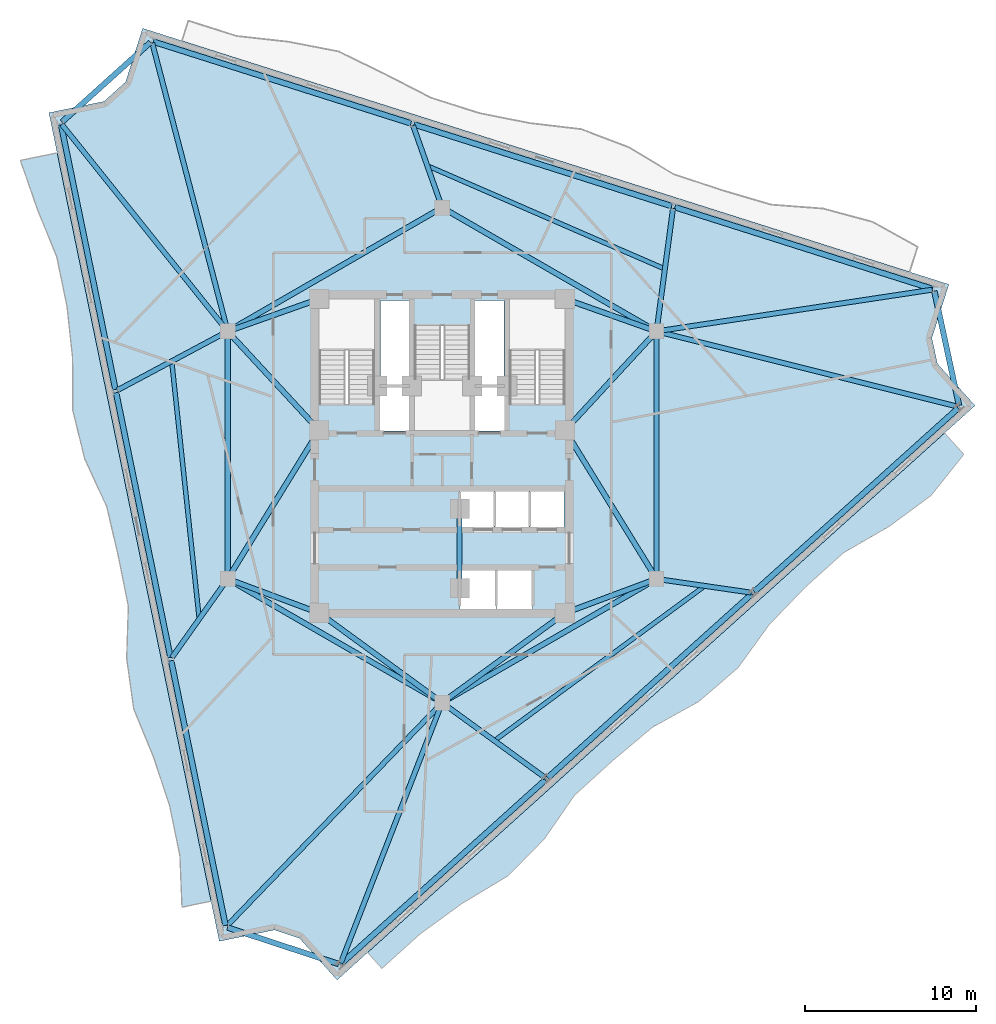
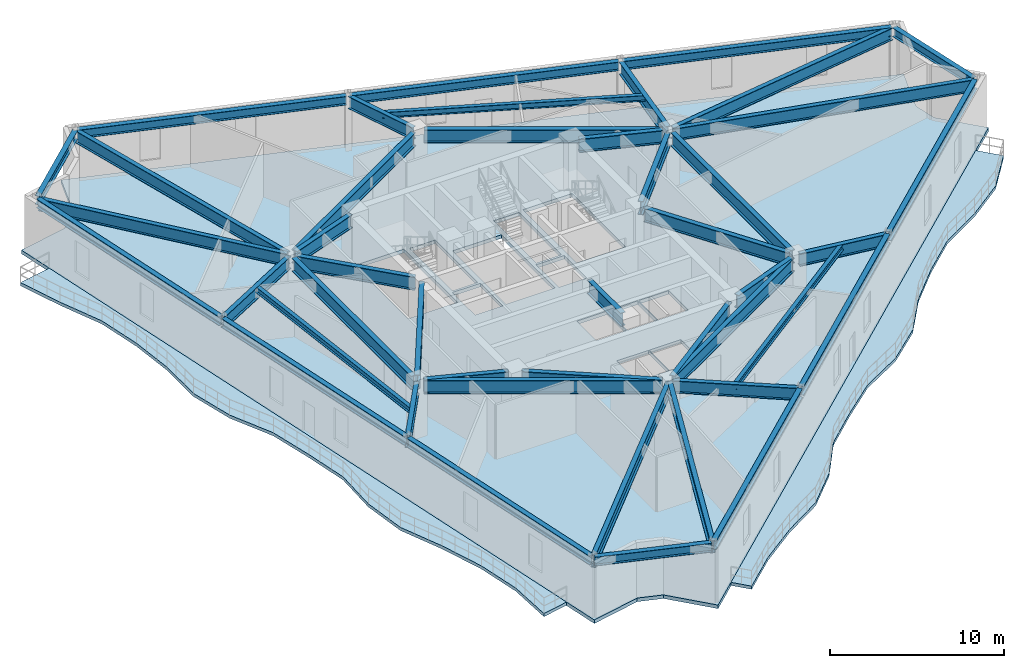
# One storey, part 4 of 12: 44 beams, 3 slabs.
"""IFC4 building model written with IfcOpenShell, lengths in metres."""

from ifc_helpers import new_model, si_unit, direction, frame, origin, origin_2d, place, context, subcontext, project, spatial, polyline, i_section, outline, extrude, material, layer, layer_set, material_profile, profile_set, type_object, element, save


model = new_model("IFC4")

# Units and contexts
model_context = context("Model", 3, precision=1e-05, world=origin(), true_north=direction((0.0, 1.0)))
body_context = subcontext(model_context, "Body", "Model", "MODEL_VIEW")
ifc_project = project(units=[si_unit("LENGTHUNIT", "METRE"), si_unit("AREAUNIT", "SQUARE_METRE"), si_unit("VOLUMEUNIT", "CUBIC_METRE"), si_unit("PLANEANGLEUNIT", "RADIAN"), si_unit("MASSUNIT", "GRAM", prefix="KILO")], contexts=[model_context])

# Site, building, storey
site_placement = place(None, origin())
site = spatial("IfcSite", under=ifc_project, at=site_placement, CompositionType="ELEMENT")
building_placement = place(site_placement, origin())
building = spatial("IfcBuilding", under=site, at=building_placement, Name="Apsidion Concourse Tower", CompositionType="ELEMENT")
storey_placement = place(building_placement, frame((0.0, 0.0, 248.60009765625)))
storey = spatial("IfcBuildingStorey", under=building, at=storey_placement, Name="L58", CompositionType="ELEMENT", Elevation=248.60009765625)

# Beams
ifc_material_1 = material(Name="Structural steel ASTM A992 Grade 50", Category="steel")
ifc_material_profile_1 = material_profile(ifc_material_1, i_section(OverallWidth=0.260009765625, OverallDepth=0.4150390625, WebThickness=0.010009765625, FlangeThickness=0.016845703125, at=origin_2d()), Name="W16X67")
ifc_profile_set_1 = profile_set([ifc_material_profile_1], Name="Structural steel ASTM A992 Grade 50")
beam_type_1 = type_object("IfcBeamType", Name="BM-FL-W16H", PredefinedType="BEAM", material=ifc_profile_set_1)
beam_1_placement = place(storey_placement, frame((-15.83642578125, 5.500732421875, 3.642333984375), z_axis=(0.106172030497, -0.994347776153, 0.0), x_axis=(0.994347776153, 0.106172030497, 0.0)))
element("IfcBeam", 1, at=beam_1_placement, inside=storey, type_object=beam_type_1, Name="L58 Secondary Floor Beam SEC-F1", PredefinedType="BEAM", context=body_context, shape_type="SweptSolid", body=[
    extrude(i_section(OverallWidth=0.260009765625, OverallDepth=0.4150390625, WebThickness=0.010009765625, FlangeThickness=0.016845703125, at=origin_2d()), origin(), (0.0, 0.0, 1.0), 15.18359375),
])
beam_2_placement = place(storey_placement, frame((3.060791015625, -16.727294921875, 3.642333984375), z_axis=(0.80548434449, 0.592617052389, 0.0), x_axis=(-0.592617052389, 0.80548434449, 0.0)))
element("IfcBeam", 2, at=beam_2_placement, inside=storey, type_object=beam_type_1, Name="L58 Secondary Floor Beam SEC-F2", PredefinedType="BEAM", context=body_context, shape_type="SweptSolid", body=[
    extrude(i_section(OverallWidth=0.260009765625, OverallDepth=0.4150390625, WebThickness=0.010009765625, FlangeThickness=0.016845703125, at=origin_2d()), origin(), (0.0, 0.0, 1.0), 15.301025390625),
])
beam_3_placement = place(storey_placement, frame((13.049560546875, 10.901611328125, 3.642333984375), z_axis=(-0.917117371842, 0.398617267897, 0.0), x_axis=(-0.398617267897, -0.917117371842, 0.0)))
element("IfcBeam", 3, at=beam_3_placement, inside=storey, type_object=beam_type_1, Name="L58 Secondary Floor Beam SEC-F3", PredefinedType="BEAM", context=body_context, shape_type="SweptSolid", body=[
    extrude(i_section(OverallWidth=0.260009765625, OverallDepth=0.4150390625, WebThickness=0.010009765625, FlangeThickness=0.016845703125, at=origin_2d()), origin(), (0.0, 0.0, 1.0), 15.173828125),
])
ifc_material_profile_2 = material_profile(ifc_material_1, i_section(OverallWidth=0.2919921875, OverallDepth=0.85888671875, WebThickness=0.01708984375, FlangeThickness=0.031005859375, at=origin_2d()), Name="W33X169")
ifc_profile_set_2 = profile_set([ifc_material_profile_2], Name="Structural steel ASTM A992 Grade 50")
beam_type_2 = type_object("IfcBeamType", Name="BM-G-W33", PredefinedType="USERDEFINED", material=ifc_profile_set_2)
beam_4_placement = place(storey_placement, frame((-12.697509765625, 7.421630859375, 3.42041015625), z_axis=(-0.625472520241, 0.780246196033, 0.0), x_axis=(-0.780246196033, -0.625472520241, 0.0)))
element("IfcBeam", 4, at=beam_4_placement, inside=storey, type_object=beam_type_2, Name="L58 Radial Floor Girder RAD-01", ObjectType="GIRDER", PredefinedType="USERDEFINED", context=body_context, shape_type="SweptSolid", body=[
    extrude(i_section(OverallWidth=0.2919921875, OverallDepth=0.85888671875, WebThickness=0.01708984375, FlangeThickness=0.031005859375, at=origin_2d()), origin(), (0.0, 0.0, 1.0), 15.311767578125),
])
beam_5_placement = place(storey_placement, frame((-12.754150390625, 7.146484375, 3.42041015625), z_axis=(-0.88214083385, -0.470985720861, 0.0), x_axis=(0.470985720861, -0.88214083385, 0.0)))
element("IfcBeam", 5, at=beam_5_placement, inside=storey, type_object=beam_type_2, Name="L58 Radial Floor Girder RAD-02", ObjectType="GIRDER", PredefinedType="USERDEFINED", context=body_context, shape_type="SweptSolid", body=[
    extrude(i_section(OverallWidth=0.2919921875, OverallDepth=0.85888671875, WebThickness=0.01708984375, FlangeThickness=0.031005859375, at=origin_2d()), origin(), (0.0, 0.0, 1.0), 7.1083984375),
])
beam_6_placement = place(storey_placement, frame((-12.687255859375, -7.429443359375, 3.42041015625), z_axis=(-0.578459758238, -0.815710921895, 0.0), x_axis=(0.815710921895, -0.578459758238, 0.0)))
element("IfcBeam", 6, at=beam_6_placement, inside=storey, type_object=beam_type_2, Name="L58 Radial Floor Girder RAD-03", ObjectType="GIRDER", PredefinedType="USERDEFINED", context=body_context, shape_type="SweptSolid", body=[
    extrude(i_section(OverallWidth=0.2919921875, OverallDepth=0.85888671875, WebThickness=0.01708984375, FlangeThickness=0.031005859375, at=origin_2d()), origin(), (0.0, 0.0, 1.0), 5.434326171875),
])
beam_7_placement = place(storey_placement, frame((-0.152587890625, -14.658447265625, 3.42041015625), z_axis=(-0.693982841632, -0.719991538506, 0.0), x_axis=(0.719991538506, -0.693982841632, 0.0)))
element("IfcBeam", 7, at=beam_7_placement, inside=storey, type_object=beam_type_2, Name="L58 Radial Floor Girder RAD-04", ObjectType="GIRDER", PredefinedType="USERDEFINED", context=body_context, shape_type="SweptSolid", body=[
    extrude(i_section(OverallWidth=0.2919921875, OverallDepth=0.85888671875, WebThickness=0.01708984375, FlangeThickness=0.031005859375, at=origin_2d()), origin(), (0.0, 0.0, 1.0), 17.928955078125),
])
beam_8_placement = place(storey_placement, frame((-0.079833984375, -14.705078125, 3.42041015625), z_axis=(-0.36254845311, -0.931964923775, 0.0), x_axis=(0.931964923775, -0.36254845311, 0.0)))
element("IfcBeam", 8, at=beam_8_placement, inside=storey, type_object=beam_type_2, Name="L58 Radial Floor Girder RAD-05", ObjectType="GIRDER", PredefinedType="USERDEFINED", context=body_context, shape_type="SweptSolid", body=[
    extrude(i_section(OverallWidth=0.2919921875, OverallDepth=0.85888671875, WebThickness=0.01708984375, FlangeThickness=0.031005859375, at=origin_2d()), origin(), (0.0, 0.0, 1.0), 16.14013671875),
])
beam_9_placement = place(storey_placement, frame((0.177978515625, -14.62939453125, 3.42041015625), z_axis=(0.808567158699, -0.588403900288, 0.0), x_axis=(0.588403900288, 0.808567158699, 0.0)))
element("IfcBeam", 9, at=beam_9_placement, inside=storey, type_object=beam_type_2, Name="L58 Radial Floor Girder RAD-06", ObjectType="GIRDER", PredefinedType="USERDEFINED", context=body_context, shape_type="SweptSolid", body=[
    extrude(i_section(OverallWidth=0.2919921875, OverallDepth=0.85888671875, WebThickness=0.01708984375, FlangeThickness=0.031005859375, at=origin_2d()), origin(), (0.0, 0.0, 1.0), 7.251220703125),
])
beam_10_placement = place(storey_placement, frame((12.777587890625, -7.281494140625, 3.42041015625), z_axis=(0.98964652534, -0.143526147032, 0.0), x_axis=(0.143526147032, 0.98964652534, 0.0)))
element("IfcBeam", 10, at=beam_10_placement, inside=storey, type_object=beam_type_2, Name="L58 Radial Floor Girder RAD-07", ObjectType="GIRDER", PredefinedType="USERDEFINED", context=body_context, shape_type="SweptSolid", body=[
    extrude(i_section(OverallWidth=0.2919921875, OverallDepth=0.85888671875, WebThickness=0.01708984375, FlangeThickness=0.031005859375, at=origin_2d()), origin(), (0.0, 0.0, 1.0), 5.390625),
])
beam_11_placement = place(storey_placement, frame((12.7734375, 7.19677734375, 3.42041015625), z_axis=(0.97015368983, -0.242490861907, 0.0), x_axis=(0.242490861907, 0.97015368983, 0.0)))
element("IfcBeam", 11, at=beam_11_placement, inside=storey, type_object=beam_type_2, Name="L58 Radial Floor Girder RAD-08", ObjectType="GIRDER", PredefinedType="USERDEFINED", context=body_context, shape_type="SweptSolid", body=[
    extrude(i_section(OverallWidth=0.2919921875, OverallDepth=0.85888671875, WebThickness=0.01708984375, FlangeThickness=0.031005859375, at=origin_2d()), origin(), (0.0, 0.0, 1.0), 17.96630859375),
])
beam_12_placement = place(storey_placement, frame((12.777587890625, 7.282958984375, 3.42041015625), z_axis=(0.988774311252, 0.149416737377, 0.0), x_axis=(-0.149416737377, 0.988774311252, 0.0)))
element("IfcBeam", 12, at=beam_12_placement, inside=storey, type_object=beam_type_2, Name="L58 Radial Floor Girder RAD-09", ObjectType="GIRDER", PredefinedType="USERDEFINED", context=body_context, shape_type="SweptSolid", body=[
    extrude(i_section(OverallWidth=0.2919921875, OverallDepth=0.85888671875, WebThickness=0.01708984375, FlangeThickness=0.031005859375, at=origin_2d()), origin(), (0.0, 0.0, 1.0), 16.11572265625),
])
beam_13_placement = place(storey_placement, frame((12.589111328125, 7.468017578125, 3.42041015625), z_axis=(0.13290103696, 0.99112931264, 0.0), x_axis=(-0.99112931264, 0.13290103696, 0.0)))
element("IfcBeam", 13, at=beam_13_placement, inside=storey, type_object=beam_type_2, Name="L58 Radial Floor Girder RAD-10", ObjectType="GIRDER", PredefinedType="USERDEFINED", context=body_context, shape_type="SweptSolid", body=[
    extrude(i_section(OverallWidth=0.2919921875, OverallDepth=0.85888671875, WebThickness=0.01708984375, FlangeThickness=0.031005859375, at=origin_2d()), origin(), (0.0, 0.0, 1.0), 7.048583984375),
])
beam_14_placement = place(storey_placement, frame((-0.073486328125, 14.70751953125, 3.42041015625), z_axis=(-0.333398660175, 0.94278594251, 0.0), x_axis=(-0.94278594251, -0.333398660175, 0.0)))
element("IfcBeam", 14, at=beam_14_placement, inside=storey, type_object=beam_type_2, Name="L58 Radial Floor Girder RAD-11", ObjectType="GIRDER", PredefinedType="USERDEFINED", context=body_context, shape_type="SweptSolid", body=[
    extrude(i_section(OverallWidth=0.2919921875, OverallDepth=0.85888671875, WebThickness=0.01708984375, FlangeThickness=0.031005859375, at=origin_2d()), origin(), (0.0, 0.0, 1.0), 4.877685546875),
])
beam_15_placement = place(storey_placement, frame((-12.61572265625, 7.462890625, 3.42041015625), z_axis=(-0.253011847296, 0.967463180244, 0.0), x_axis=(-0.967463180244, -0.253011847296, 0.0)))
element("IfcBeam", 15, at=beam_15_placement, inside=storey, type_object=beam_type_2, Name="L58 Radial Floor Girder RAD-12", ObjectType="GIRDER", PredefinedType="USERDEFINED", context=body_context, shape_type="SweptSolid", body=[
    extrude(i_section(OverallWidth=0.2919921875, OverallDepth=0.85888671875, WebThickness=0.01708984375, FlangeThickness=0.031005859375, at=origin_2d()), origin(), (0.0, 0.0, 1.0), 17.249267578125),
])
ifc_material_profile_3 = material_profile(ifc_material_1, i_section(OverallWidth=0.31005859375, OverallDepth=0.931884765625, WebThickness=0.02099609375, FlangeThickness=0.034423828125, at=origin_2d()), Name="W36X210")
ifc_profile_set_3 = profile_set([ifc_material_profile_3], Name="Structural steel ASTM A992 Grade 50")
beam_type_3 = type_object("IfcBeamType", Name="BM-G-W36", PredefinedType="USERDEFINED", material=ifc_profile_set_3)
beam_16_placement = place(storey_placement, frame((-12.185302734375, -7.389892578125, 3.3837890625), z_axis=(0.936913021145, -0.349562570664, 0.0), x_axis=(0.349562570664, 0.936913021145, 0.0)))
element("IfcBeam", 16, at=beam_16_placement, inside=storey, type_object=beam_type_3, Name="L58 Core Coupling Girder IC1-SC1", ObjectType="GIRDER", PredefinedType="USERDEFINED", context=body_context, shape_type="SweptSolid", body=[
    extrude(i_section(OverallWidth=0.31005859375, OverallDepth=0.931884765625, WebThickness=0.02099609375, FlangeThickness=0.034423828125, at=origin_2d()), origin(), (0.0, 0.0, 1.0), 4.921142578125),
])
beam_17_placement = place(storey_placement, frame((-12.35009765625, -6.909423828125, 3.3837890625), z_axis=(0.524524009763, 0.851395656074, 0.0), x_axis=(-0.851395656074, 0.524524009763, 0.0)))
element("IfcBeam", 17, at=beam_17_placement, inside=storey, type_object=beam_type_3, Name="L58 Core Coupling Girder IC1-SC6", ObjectType="GIRDER", PredefinedType="USERDEFINED", context=body_context, shape_type="SweptSolid", body=[
    extrude(i_section(OverallWidth=0.31005859375, OverallDepth=0.931884765625, WebThickness=0.02099609375, FlangeThickness=0.034423828125, at=origin_2d()), origin(), (0.0, 0.0, 1.0), 9.41845703125),
])
beam_18_placement = place(storey_placement, frame((12.185302734375, -7.389892578125, 3.3837890625), z_axis=(-0.936913021145, -0.349562570664, 0.0), x_axis=(0.349562570664, -0.936913021145, 0.0)))
element("IfcBeam", 18, at=beam_18_placement, inside=storey, type_object=beam_type_3, Name="L58 Core Coupling Girder IC2-SC2", ObjectType="GIRDER", PredefinedType="USERDEFINED", context=body_context, shape_type="SweptSolid", body=[
    extrude(i_section(OverallWidth=0.31005859375, OverallDepth=0.931884765625, WebThickness=0.02099609375, FlangeThickness=0.034423828125, at=origin_2d()), origin(), (0.0, 0.0, 1.0), 4.921142578125),
])
beam_19_placement = place(storey_placement, frame((12.35009765625, -6.909423828125, 3.3837890625), z_axis=(-0.524524009763, 0.851395656074, 0.0), x_axis=(-0.851395656074, -0.524524009763, 0.0)))
element("IfcBeam", 19, at=beam_19_placement, inside=storey, type_object=beam_type_3, Name="L58 Core Coupling Girder IC2-SC3", ObjectType="GIRDER", PredefinedType="USERDEFINED", context=body_context, shape_type="SweptSolid", body=[
    extrude(i_section(OverallWidth=0.31005859375, OverallDepth=0.931884765625, WebThickness=0.02099609375, FlangeThickness=0.034423828125, at=origin_2d()), origin(), (0.0, 0.0, 1.0), 9.41845703125),
])
beam_20_placement = place(storey_placement, frame((12.28857421875, 6.956298828125, 3.3837890625), z_axis=(-0.678712876106, -0.73440372535, 0.0), x_axis=(0.73440372535, -0.678712876106, 0.0)))
element("IfcBeam", 20, at=beam_20_placement, inside=storey, type_object=beam_type_3, Name="L58 Core Coupling Girder IC3-SC3", ObjectType="GIRDER", PredefinedType="USERDEFINED", context=body_context, shape_type="SweptSolid", body=[
    extrude(i_section(OverallWidth=0.31005859375, OverallDepth=0.931884765625, WebThickness=0.02099609375, FlangeThickness=0.034423828125, at=origin_2d()), origin(), (0.0, 0.0, 1.0), 7.097412109375),
])
beam_21_placement = place(storey_placement, frame((12.18310546875, 7.383544921875, 3.3837890625), z_axis=(-0.942533844539, 0.334110688094, 0.0), x_axis=(-0.334110688094, -0.942533844539, 0.0)))
element("IfcBeam", 21, at=beam_21_placement, inside=storey, type_object=beam_type_3, Name="L58 Core Coupling Girder IC3-SC4", ObjectType="GIRDER", PredefinedType="USERDEFINED", context=body_context, shape_type="SweptSolid", body=[
    extrude(i_section(OverallWidth=0.31005859375, OverallDepth=0.931884765625, WebThickness=0.02099609375, FlangeThickness=0.034423828125, at=origin_2d()), origin(), (0.0, 0.0, 1.0), 4.886962890625),
])
beam_22_placement = place(storey_placement, frame((-12.28857421875, 6.956298828125, 3.3837890625), z_axis=(0.678712876106, -0.73440372535, 0.0), x_axis=(0.73440372535, 0.678712876106, 0.0)))
element("IfcBeam", 22, at=beam_22_placement, inside=storey, type_object=beam_type_3, Name="L58 Core Coupling Girder IC5-SC6", ObjectType="GIRDER", PredefinedType="USERDEFINED", context=body_context, shape_type="SweptSolid", body=[
    extrude(i_section(OverallWidth=0.31005859375, OverallDepth=0.931884765625, WebThickness=0.02099609375, FlangeThickness=0.034423828125, at=origin_2d()), origin(), (0.0, 0.0, 1.0), 7.097412109375),
])
beam_23_placement = place(storey_placement, frame((-12.18310546875, 7.383544921875, 3.3837890625), z_axis=(0.942533844539, 0.334110688094, 0.0), x_axis=(-0.334110688094, 0.942533844539, 0.0)))
element("IfcBeam", 23, at=beam_23_placement, inside=storey, type_object=beam_type_3, Name="L58 Core Coupling Girder IC5-SC5", ObjectType="GIRDER", PredefinedType="USERDEFINED", context=body_context, shape_type="SweptSolid", body=[
    extrude(i_section(OverallWidth=0.31005859375, OverallDepth=0.931884765625, WebThickness=0.02099609375, FlangeThickness=0.034423828125, at=origin_2d()), origin(), (0.0, 0.0, 1.0), 4.886962890625),
])
for number, where, z_axis, x_axis, name in (
    (24, (-0.3232421875, -14.264404296875, 3.3837890625), (-0.807993498909, 0.589191399905, 0.0), (-0.589191399905, -0.807993498909, 0.0), "L58 Core Coupling Girder IC6-SC1"),
    (25, (0.3232421875, -14.264404296875, 3.3837890625), (0.807993498909, 0.589191399905, 0.0), (-0.589191399905, 0.807993498909, 0.0), "L58 Core Coupling Girder IC6-SC2"),
):
    element("IfcBeam", number, at=place(storey_placement, frame(where, z_axis=z_axis, x_axis=x_axis)), inside=storey, type_object=beam_type_3, Name=name, ObjectType="GIRDER", PredefinedType="USERDEFINED", context=body_context, shape_type="SweptSolid", body=[
        extrude(i_section(OverallWidth=0.31005859375, OverallDepth=0.931884765625, WebThickness=0.02099609375, FlangeThickness=0.034423828125, at=origin_2d()), origin(), (0.0, 0.0, 1.0), 8.11083984375),
    ])
beam_24_placement = place(storey_placement, frame((-12.56005859375, -6.85009765625, 3.3837890625), z_axis=(0.0, 1.0, 0.0), x_axis=(-1.0, 0.0, 0.0)))
element("IfcBeam", 26, at=beam_24_placement, inside=storey, type_object=beam_type_3, Name="L58 Core Coupling Girder IC1-IC5", ObjectType="GIRDER", PredefinedType="USERDEFINED", context=body_context, shape_type="SweptSolid", body=[
    extrude(i_section(OverallWidth=0.31005859375, OverallDepth=0.931884765625, WebThickness=0.02099609375, FlangeThickness=0.034423828125, at=origin_2d()), origin(), (0.0, 0.0, 1.0), 13.7001953125),
])
for number, where, z_axis, x_axis, name in (
    (27, (-12.213623046875, 7.449951171875, 3.3837890625), (0.866070471464, 0.499921932364, 0.0), (-0.499921932364, 0.866070471464, 0.0), "L58 Core Coupling Girder IC5-IC4"),
    (28, (0.346435546875, 14.300048828125, 3.3837890625), (0.866070471464, -0.499921932364, 0.0), (0.499921932364, 0.866070471464, 0.0), "L58 Core Coupling Girder IC4-IC3"),
):
    element("IfcBeam", number, at=place(storey_placement, frame(where, z_axis=z_axis, x_axis=x_axis)), inside=storey, type_object=beam_type_3, Name=name, ObjectType="GIRDER", PredefinedType="USERDEFINED", context=body_context, shape_type="SweptSolid", body=[
        extrude(i_section(OverallWidth=0.31005859375, OverallDepth=0.931884765625, WebThickness=0.02099609375, FlangeThickness=0.034423828125, at=origin_2d()), origin(), (0.0, 0.0, 1.0), 13.702392578125),
    ])
beam_25_placement = place(storey_placement, frame((12.56005859375, 6.85009765625, 3.3837890625), z_axis=(0.0, -1.0, 0.0), x_axis=(1.0, 0.0, 0.0)))
element("IfcBeam", 29, at=beam_25_placement, inside=storey, type_object=beam_type_3, Name="L58 Core Coupling Girder IC3-IC2", ObjectType="GIRDER", PredefinedType="USERDEFINED", context=body_context, shape_type="SweptSolid", body=[
    extrude(i_section(OverallWidth=0.31005859375, OverallDepth=0.931884765625, WebThickness=0.02099609375, FlangeThickness=0.034423828125, at=origin_2d()), origin(), (0.0, 0.0, 1.0), 13.7001953125),
])
for number, where, z_axis, x_axis, name in (
    (30, (12.213623046875, -7.449951171875, 3.3837890625), (-0.866070471464, -0.499921932364, 0.0), (0.499921932364, -0.866070471464, 0.0), "L58 Core Coupling Girder IC2-IC6"),
    (31, (-0.346435546875, -14.300048828125, 3.3837890625), (-0.866070471464, 0.499921932364, 0.0), (-0.499921932364, -0.866070471464, 0.0), "L58 Core Coupling Girder IC6-IC1"),
):
    element("IfcBeam", number, at=place(storey_placement, frame(where, z_axis=z_axis, x_axis=x_axis)), inside=storey, type_object=beam_type_3, Name=name, ObjectType="GIRDER", PredefinedType="USERDEFINED", context=body_context, shape_type="SweptSolid", body=[
        extrude(i_section(OverallWidth=0.31005859375, OverallDepth=0.931884765625, WebThickness=0.02099609375, FlangeThickness=0.034423828125, at=origin_2d()), origin(), (0.0, 0.0, 1.0), 13.702392578125),
    ])
beam_26_placement = place(storey_placement, frame((1.02490234375, -3.550048828125, 3.3837890625), z_axis=(0.0, -1.0, 0.0), x_axis=(1.0, 0.0, 0.0)))
element("IfcBeam", 32, at=beam_26_placement, inside=storey, type_object=beam_type_3, Name="L58 Core Coupling Girder CC5-CC6", ObjectType="GIRDER", PredefinedType="USERDEFINED", context=body_context, shape_type="SweptSolid", body=[
    extrude(i_section(OverallWidth=0.31005859375, OverallDepth=0.931884765625, WebThickness=0.02099609375, FlangeThickness=0.034423828125, at=origin_2d()), origin(), (0.0, 0.0, 1.0), 3.849853515625),
])
ifc_material_profile_4 = material_profile(ifc_material_1, i_section(OverallWidth=0.324951171875, OverallDepth=0.616943359375, WebThickness=0.013916015625, FlangeThickness=0.021484375, at=origin_2d()), Name="W24X117")
ifc_profile_set_4 = profile_set([ifc_material_profile_4], Name="Structural steel ASTM A992 Grade 50")
beam_type_4 = type_object("IfcBeamType", Name="BM-SP-W24", PredefinedType="SPANDREL", material=ifc_profile_set_4)
beam_27_placement = place(storey_placement, frame((-22.317138671875, 19.3486328125, 3.54150390625), z_axis=(0.201231912796, -0.979543627039, 0.0), x_axis=(0.979543627039, 0.201231912796, 0.0)))
element("IfcBeam", 33, at=beam_27_placement, inside=storey, type_object=beam_type_4, Name="L58 Perimeter Spandrel Girder SP-01", PredefinedType="SPANDREL", context=body_context, shape_type="SweptSolid", body=[
    extrude(i_section(OverallWidth=0.324951171875, OverallDepth=0.616943359375, WebThickness=0.013916015625, FlangeThickness=0.021484375, at=origin_2d()), origin(), (0.0, 0.0, 1.0), 15.822998046875),
])
beam_28_placement = place(storey_placement, frame((-19.0927734375, 3.6533203125, 3.54150390625), z_axis=(0.201234954239, -0.979543002217, 0.0), x_axis=(0.979543002217, 0.201234954239, 0.0)))
element("IfcBeam", 34, at=beam_28_placement, inside=storey, type_object=beam_type_4, Name="L58 Perimeter Spandrel Girder SP-02", PredefinedType="SPANDREL", context=body_context, shape_type="SweptSolid", body=[
    extrude(i_section(OverallWidth=0.324951171875, OverallDepth=0.616943359375, WebThickness=0.013916015625, FlangeThickness=0.021484375, at=origin_2d()), origin(), (0.0, 0.0, 1.0), 15.82275390625),
])
beam_29_placement = place(storey_placement, frame((-15.86865234375, -12.041748046875, 3.54150390625), z_axis=(0.201231912796, -0.979543627039, 0.0), x_axis=(0.979543627039, 0.201231912796, 0.0)))
element("IfcBeam", 35, at=beam_29_placement, inside=storey, type_object=beam_type_4, Name="L58 Perimeter Spandrel Girder SP-03", PredefinedType="SPANDREL", context=body_context, shape_type="SweptSolid", body=[
    extrude(i_section(OverallWidth=0.324951171875, OverallDepth=0.616943359375, WebThickness=0.013916015625, FlangeThickness=0.021484375, at=origin_2d()), origin(), (0.0, 0.0, 1.0), 15.822998046875),
])
beam_30_placement = place(storey_placement, frame((-12.5693359375, -27.67041015625, 3.54150390625), z_axis=(0.950000938621, -0.312247044211, 0.0), x_axis=(0.312247044211, 0.950000938621, 0.0)))
element("IfcBeam", 36, at=beam_30_placement, inside=storey, type_object=beam_type_4, Name="L58 Perimeter Spandrel Girder SP-04", PredefinedType="SPANDREL", context=body_context, shape_type="SweptSolid", body=[
    extrude(i_section(OverallWidth=0.324951171875, OverallDepth=0.616943359375, WebThickness=0.013916015625, FlangeThickness=0.021484375, at=origin_2d()), origin(), (0.0, 0.0, 1.0), 6.849365234375),
])
for number, where, z_axis, x_axis, name in (
    (37, (-5.893310546875, -29.773193359375, 3.54150390625), (0.743150581284, 0.669124213833, 0.0), (-0.669124213833, 0.743150581284, 0.0), "L58 Perimeter Spandrel Girder SP-05"),
    (38, (6.196044921875, -18.887939453125, 3.54150390625), (0.743150581284, 0.669124213833, 0.0), (-0.669124213833, 0.743150581284, 0.0), "L58 Perimeter Spandrel Girder SP-06"),
    (39, (18.285400390625, -8.002685546875, 3.54150390625), (0.743150581284, 0.669124213833, 0.0), (-0.669124213833, 0.743150581284, 0.0), "L58 Perimeter Spandrel Girder SP-07"),
):
    element("IfcBeam", number, at=place(storey_placement, frame(where, z_axis=z_axis, x_axis=x_axis)), inside=storey, type_object=beam_type_4, Name=name, PredefinedType="SPANDREL", context=body_context, shape_type="SweptSolid", body=[
        extrude(i_section(OverallWidth=0.324951171875, OverallDepth=0.616943359375, WebThickness=0.013916015625, FlangeThickness=0.021484375, at=origin_2d()), origin(), (0.0, 0.0, 1.0), 16.06787109375),
    ])
beam_31_placement = place(storey_placement, frame((30.279541015625, 2.91357421875, 3.54150390625), z_axis=(-0.211269287353, 0.977427894129, 0.0), x_axis=(-0.977427894129, -0.211269287353, 0.0)))
element("IfcBeam", 40, at=beam_31_placement, inside=storey, type_object=beam_type_4, Name="L58 Perimeter Spandrel Girder SP-08", PredefinedType="SPANDREL", context=body_context, shape_type="SweptSolid", body=[
    extrude(i_section(OverallWidth=0.324951171875, OverallDepth=0.616943359375, WebThickness=0.013916015625, FlangeThickness=0.021484375, at=origin_2d()), origin(), (0.0, 0.0, 1.0), 6.84912109375),
])
for number, where, z_axis, x_axis, name in (
    (41, (28.716064453125, 9.736083984375, 3.54150390625), (-0.953145595639, 0.302511939458, 0.0), (-0.302511939458, -0.953145595639, 0.0), "L58 Perimeter Spandrel Girder SP-09"),
    (42, (13.44384765625, 14.58349609375, 3.54150390625), (-0.953145595639, 0.302511939458, 0.0), (-0.302511939458, -0.953145595639, 0.0), "L58 Perimeter Spandrel Girder SP-10"),
    (43, (-1.828369140625, 19.4306640625, 3.54150390625), (-0.953145595639, 0.302511939458, 0.0), (-0.302511939458, -0.953145595639, 0.0), "L58 Perimeter Spandrel Girder SP-11"),
):
    element("IfcBeam", number, at=place(storey_placement, frame(where, z_axis=z_axis, x_axis=x_axis)), inside=storey, type_object=beam_type_4, Name=name, PredefinedType="SPANDREL", context=body_context, shape_type="SweptSolid", body=[
        extrude(i_section(OverallWidth=0.324951171875, OverallDepth=0.616943359375, WebThickness=0.013916015625, FlangeThickness=0.021484375, at=origin_2d()), origin(), (0.0, 0.0, 1.0), 15.822998046875),
    ])
beam_32_placement = place(storey_placement, frame((-17.07958984375, 24.1806640625, 3.54150390625), z_axis=(-0.743153149962, -0.669121360966, 0.0), x_axis=(0.669121360966, -0.743153149962, 0.0)))
element("IfcBeam", 44, at=beam_32_placement, inside=storey, type_object=beam_type_4, Name="L58 Perimeter Spandrel Girder SP-12", PredefinedType="SPANDREL", context=body_context, shape_type="SweptSolid", body=[
    extrude(i_section(OverallWidth=0.324951171875, OverallDepth=0.616943359375, WebThickness=0.013916015625, FlangeThickness=0.021484375, at=origin_2d()), origin(), (0.0, 0.0, 1.0), 6.974853515625),
])

# Slabs
ifc_material_2 = material(Name="Concrete C50/60", Category="concrete")
ifc_layer_1 = layer(ifc_material_2, 0.219970703125)
ifc_layer_set_1 = layer_set([ifc_layer_1], Name="Concrete C50/60")
slab_type_1 = type_object("IfcSlabType", Name="SL-BAL-220", PredefinedType="FLOOR", material=ifc_layer_set_1)
slab_1_placement = place(storey_placement, frame((0.0, 0.0, -0.22021484375)))
element("IfcSlab", 45, at=slab_1_placement, inside=storey, type_object=slab_type_1, Name="L58 Face 1 Rippling Balcony Slab", PredefinedType="FLOOR", context=body_context, shape_type="SweptSolid", body=[
    extrude(outline(polyline([(-22.54541015625, 17.70361328125), (-21.9443359375, 14.781494140625), (-21.343505859375, 11.859619140625), (-20.74267578125, 8.93798828125), (-20.141845703125, 6.01611328125), (-19.541015625, 3.093994140625), (-18.940185546875, 0.17236328125), (-18.339111328125, -2.74951171875), (-17.73828125, -5.67138671875), (-17.137451171875, -8.593505859375), (-16.53662109375, -11.51513671875), (-15.935791015625, -14.43701171875), (-15.3349609375, -17.35888671875), (-14.734130859375, -20.28076171875), (-14.13330078125, -23.20263671875), (-13.5322265625, -26.12451171875), (-15.234130859375, -26.474609375), (-15.357666015625, -23.45458984375), (-15.95849609375, -20.53271484375), (-16.904052734375, -17.681640625), (-18.05859375, -14.87353515625), (-18.47412109375, -11.91357421875), (-18.377197265625, -8.848388671875), (-18.962646484375, -5.92333984375), (-19.6416015625, -3.017333984375), (-20.92626953125, -0.236083984375), (-21.638916015625, 2.66259765625), (-21.64306640625, 5.707275390625), (-21.967041015625, 8.68603515625), (-22.56787109375, 11.60791015625), (-23.710205078125, 14.41845703125), (-24.7001953125, 17.260498046875), (-22.54541015625, 17.70361328125)])), origin(), (0.0, 0.0, 1.0), 0.22021484375),
])
slab_2_placement = place(storey_placement, frame((0.0, 0.0, -0.22021484375)))
element("IfcSlab", 46, at=slab_2_placement, inside=storey, type_object=slab_type_1, Name="L58 Face 2 Rippling Balcony Slab", PredefinedType="FLOOR", context=body_context, shape_type="SweptSolid", body=[
    extrude(outline(polyline([(-4.364501953125, -29.136962890625), (-2.111328125, -27.108154296875), (0.141845703125, -25.079345703125), (2.39501953125, -23.050537109375), (4.648193359375, -21.021728515625), (6.901611328125, -18.992919921875), (9.15478515625, -16.964111328125), (11.407958984375, -14.935302734375), (13.6611328125, -12.906494140625), (15.914306640625, -10.877685546875), (18.16748046875, -8.848876953125), (20.420654296875, -6.820068359375), (22.673828125, -4.791259765625), (24.927001953125, -2.762451171875), (27.180419921875, -0.733642578125), (29.43359375, 1.295166015625), (30.558837890625, 0.045166015625), (28.645751953125, -2.361083984375), (26.19384765625, -4.16943359375), (23.51025390625, -5.72021484375), (21.257080078125, -7.7490234375), (19.150146484375, -9.940185546875), (17.331787109375, -12.4521484375), (15.03515625, -14.4326171875), (12.314453125, -15.9423828125), (9.9912109375, -17.89306640625), (7.747314453125, -19.932373046875), (5.97705078125, -22.49755859375), (3.840087890625, -24.655517578125), (1.18994140625, -26.243408203125), (-1.27490234375, -28.037109375), (-3.528076171875, -30.06591796875), (-4.364501953125, -29.136962890625)])), origin(), (0.0, 0.0, 1.0), 0.22021484375),
])
ifc_layer_2 = layer(ifc_material_2, 0.25)
ifc_layer_set_2 = layer_set([ifc_layer_2], Name="Concrete C50/60")
slab_type_2 = type_object("IfcSlabType", Name="SL-FLR-250", PredefinedType="FLOOR", material=ifc_layer_set_2)
slab_3_placement = place(storey_placement, frame((0.0, 0.0, -0.25)))
element("IfcSlab", 47, at=slab_3_placement, inside=storey, type_object=slab_type_2, Name="L58 Structural Floor Slab", PredefinedType="FLOOR", context=body_context, shape_type="SweptSolid", body=[
    extrude(outline(polyline([(-17.537353515625, 24.998779296875), (-18.535400390625, 21.8564453125), (-19.79931640625, 20.718505859375), (-23.02880859375, 20.05419921875), (-13.048828125, -28.475341796875), (-9.819580078125, -27.811279296875), (-8.354248046875, -28.292724609375), (-6.148193359375, -30.742919921875), (31.217041015625, 2.90087890625), (29.010986328125, 5.35107421875), (28.685302734375, 6.858642578125), (29.683349609375, 10.0009765625), (-17.537353515625, 24.998779296875)]), holes=[polyline([(-3.949951171875, 3.0), (-3.949951171875, 9.14990234375), (-7.199951171875, 9.14990234375), (-7.199951171875, 3.0), (-3.949951171875, 3.0)]), polyline([(7.199951171875, 3.0), (7.199951171875, 9.14990234375), (3.949951171875, 9.14990234375), (3.949951171875, 3.0), (7.199951171875, 3.0)]), polyline([(-1.625, 7.60009765625), (-1.625, 1.449951171875), (1.625, 1.449951171875), (1.625, 7.60009765625), (-1.625, 7.60009765625)]), polyline([(1.054931640625, -4.300048828125), (3.044921875, -4.300048828125), (3.044921875, -2.050048828125), (1.054931640625, -2.050048828125), (1.054931640625, -4.300048828125)]), polyline([(3.10498046875, -4.300048828125), (5.094970703125, -4.300048828125), (5.094970703125, -2.050048828125), (3.10498046875, -2.050048828125), (3.10498046875, -4.300048828125)]), polyline([(5.155029296875, -4.300048828125), (7.14501953125, -4.300048828125), (7.14501953125, -2.050048828125), (5.155029296875, -2.050048828125), (5.155029296875, -4.300048828125)]), polyline([(1.044921875, -9.0), (3.155029296875, -9.0), (3.155029296875, -6.64990234375), (1.044921875, -6.64990234375), (1.044921875, -9.0)]), polyline([(3.195068359375, -9.0), (5.304931640625, -9.0), (5.304931640625, -6.64990234375), (3.195068359375, -6.64990234375), (3.195068359375, -9.0)]), polyline([(-3.7099609375, 1.39990234375), (-1.85009765625, 1.39990234375), (-1.85009765625, 4.0), (-3.7099609375, 4.0), (-3.7099609375, 1.39990234375)]), polyline([(1.85009765625, 1.39990234375), (3.7099609375, 1.39990234375), (3.7099609375, 4.0), (1.85009765625, 4.0), (1.85009765625, 1.39990234375)]), polyline([(-3.6201171875, 4.14990234375), (-1.93994140625, 4.14990234375), (-1.93994140625, 9.050048828125), (-3.6201171875, 9.050048828125), (-3.6201171875, 4.14990234375)]), polyline([(1.93994140625, 4.14990234375), (3.6201171875, 4.14990234375), (3.6201171875, 9.050048828125), (1.93994140625, 9.050048828125), (1.93994140625, 4.14990234375)])]), origin(), (0.0, 0.0, 1.0), 0.25),
])

save(model, "model.ifc")
